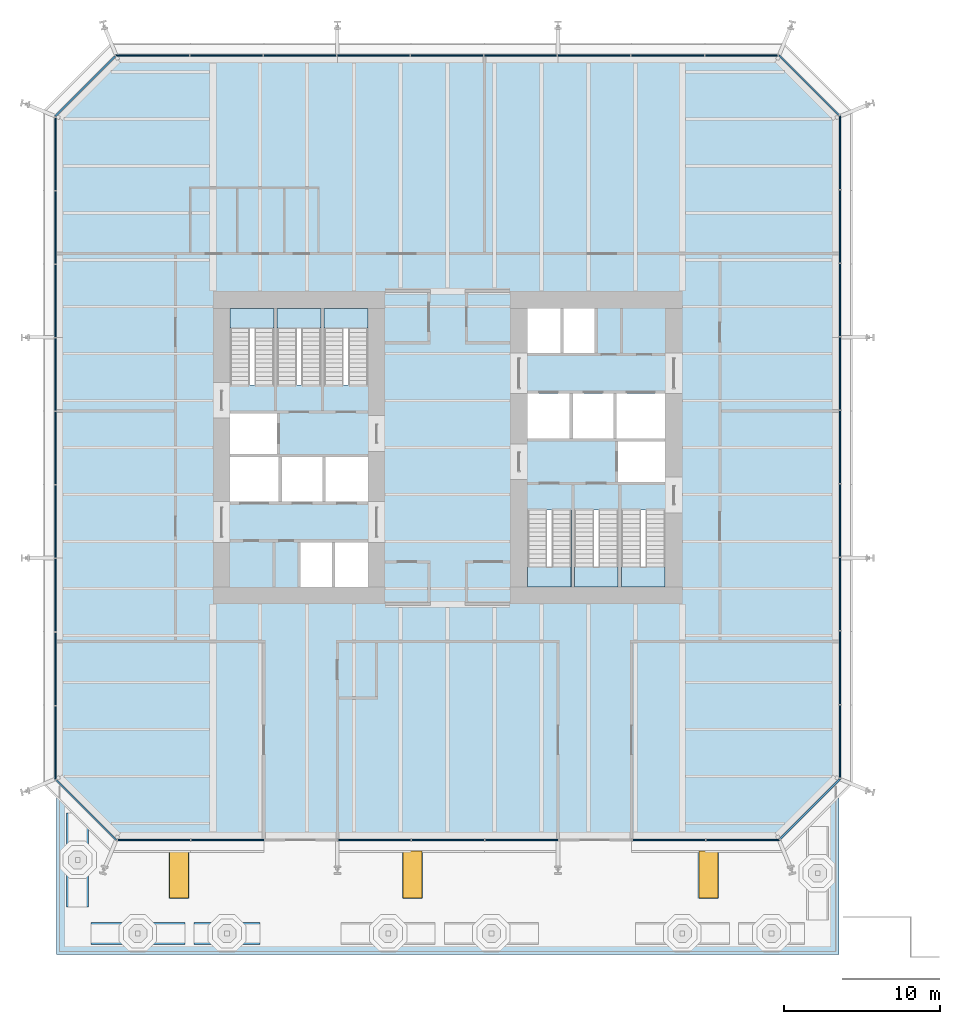
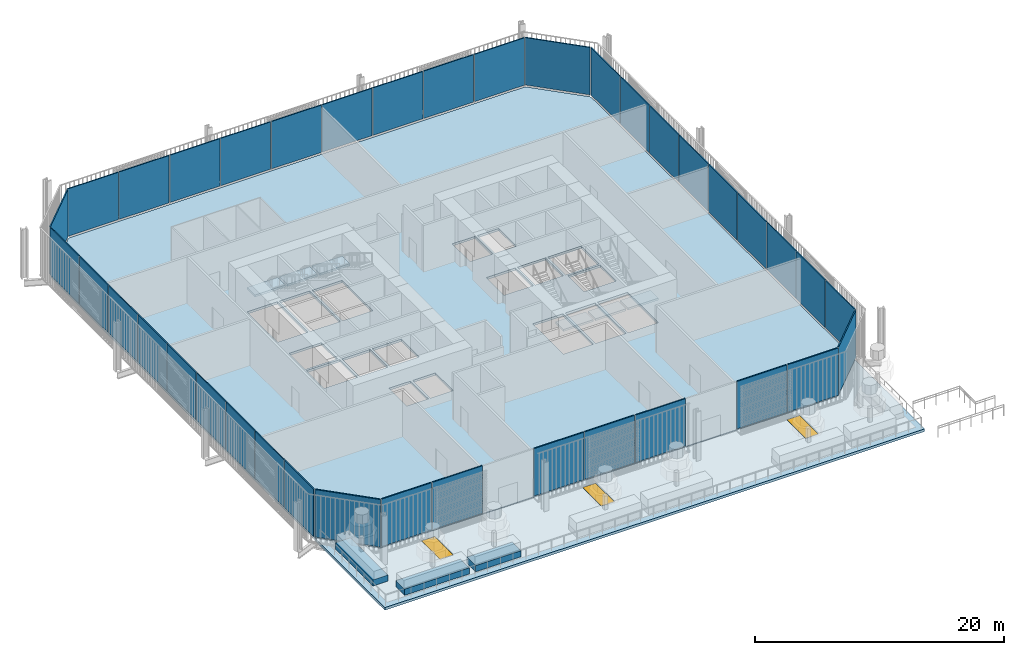
# One storey, part 14 of 21: 38 plates, 8 slabs, 3 walls, 3 windows, 3 openings, 14 elements without a shape of their own.
"""IFC4 building model written with IfcOpenShell, lengths in metres."""

from ifc_helpers import new_model, si_unit, direction, frame, frame_2d, origin, origin_2d, place, context, subcontext, project, spatial, polyline, rectangle, outline, extrude, material, layer, layer_set, type_object, element, fill, aggregate, save


model = new_model("IFC4")

# Units and contexts
model_context = context("Model", 3, precision=1e-05, world=origin(), true_north=direction((0.0, 1.0)))
body_context = subcontext(model_context, "Body", "Model", "MODEL_VIEW")
ifc_project = project(units=[si_unit("LENGTHUNIT", "METRE"), si_unit("AREAUNIT", "SQUARE_METRE"), si_unit("VOLUMEUNIT", "CUBIC_METRE"), si_unit("PLANEANGLEUNIT", "RADIAN"), si_unit("MASSUNIT", "GRAM", prefix="KILO")], contexts=[model_context])

# Site, building, storey
site_placement = place(None, origin())
site = spatial("IfcSite", under=ifc_project, at=site_placement, CompositionType="ELEMENT")
building_placement = place(site_placement, origin())
building = spatial("IfcBuilding", under=site, at=building_placement, Name="Millrace Tower", CompositionType="ELEMENT")
storey_placement = place(building_placement, frame((0.0, 0.0, 16.10009765625)))
storey = spatial("IfcBuildingStorey", under=building, at=storey_placement, Name="L04", CompositionType="ELEMENT", Elevation=16.10009765625)

# Curtain wall, plate
ifc_material_1 = material(Name="Aluminium and glass", Category="aluminium")
ifc_layer_1 = layer(ifc_material_1, 0.14990234375)
ifc_layer_set_1 = layer_set([ifc_layer_1], Name="Aluminium and glass")
curtain_wall_type = type_object("IfcCurtainWallType", Name="CW-2 data hall insulated curtain wall", PredefinedType="NOTDEFINED", material=ifc_layer_set_1)
placement_1 = place(storey_placement, origin())
curtain_wall_1 = element("IfcCurtainWall", 1, at=placement_1, inside=storey, type_object=curtain_wall_type, Name="Curtain wall A-F01 L04", PredefinedType="NOTDEFINED")
ifc_material_2 = material(Name="Glass", Category="glass")
ifc_layer_2 = layer(ifc_material_2, 0.10009765625)
ifc_layer_set_2 = layer_set([ifc_layer_2], Name="Glass")
plate_type = type_object("IfcPlateType", Name="CW-2 data hall insulated curtain wall insulated cassette with vision slot", PredefinedType="CURTAIN_PANEL", material=ifc_layer_set_2)
placement_2 = place(storey_placement, frame((0.0, 0.0, 0.159912109375)))
plate_1 = element("IfcPlate", 2, at=placement_2, type_object=plate_type, Name="CW2 panel A-F01.1", PredefinedType="CURTAIN_PANEL", context=body_context, shape_type="SweptSolid", body=[
    extrude(outline(polyline([(-25.04248046875, -21.284423828125), (-21.20166015625, -25.125), (-21.160400390625, -25.02490234375), (-24.9716796875, -21.213623046875), (-25.04248046875, -21.284423828125)])), origin(), (0.0, 0.0, 1.0), 4.639892578125),
])
aggregate(curtain_wall_1, [plate_1])

# Curtain wall, plates
curtain_wall_2 = element("IfcCurtainWall", 3, at=placement_1, inside=storey, type_object=curtain_wall_type, Name="Curtain wall A-F02 L04", PredefinedType="NOTDEFINED")
plate_2 = element("IfcPlate", 4, at=placement_2, type_object=plate_type, Name="CW2 panel A-F02.1", PredefinedType="CURTAIN_PANEL", context=body_context, shape_type="SweptSolid", body=[
    extrude(outline(polyline([(-21.0849609375, -25.125), (-16.449951171875, -25.125), (-16.449951171875, -25.02490234375), (-21.0849609375, -25.02490234375), (-21.0849609375, -25.125)])), origin(), (0.0, 0.0, 1.0), 4.639892578125),
])
plate_3 = element("IfcPlate", 5, at=placement_2, type_object=plate_type, Name="CW2 panel A-F02.2", PredefinedType="CURTAIN_PANEL", context=body_context, shape_type="SweptSolid", body=[
    extrude(outline(polyline([(-16.385009765625, -25.125), (-11.75, -25.125), (-11.75, -25.02490234375), (-16.385009765625, -25.02490234375), (-16.385009765625, -25.125)])), origin(), (0.0, 0.0, 1.0), 4.639892578125),
])
plate_4 = element("IfcPlate", 6, at=placement_2, type_object=plate_type, Name="CW2 panel A-F02.4", PredefinedType="CURTAIN_PANEL", context=body_context, shape_type="SweptSolid", body=[
    extrude(outline(polyline([(-6.985107421875, -25.125), (-2.35009765625, -25.125), (-2.35009765625, -25.02490234375), (-6.985107421875, -25.02490234375), (-6.985107421875, -25.125)])), origin(), (0.0, 0.0, 1.0), 4.639892578125),
])
plate_5 = element("IfcPlate", 7, at=placement_2, type_object=plate_type, Name="CW2 panel A-F02.5", PredefinedType="CURTAIN_PANEL", context=body_context, shape_type="SweptSolid", body=[
    extrude(outline(polyline([(-2.284912109375, -25.125), (2.35009765625, -25.125), (2.35009765625, -25.02490234375), (-2.284912109375, -25.02490234375), (-2.284912109375, -25.125)])), origin(), (0.0, 0.0, 1.0), 4.639892578125),
])
plate_6 = element("IfcPlate", 8, at=placement_2, type_object=plate_type, Name="CW2 panel A-F02.6", PredefinedType="CURTAIN_PANEL", context=body_context, shape_type="SweptSolid", body=[
    extrude(outline(polyline([(2.4150390625, -25.125), (7.050048828125, -25.125), (7.050048828125, -25.02490234375), (2.4150390625, -25.02490234375), (2.4150390625, -25.125)])), origin(), (0.0, 0.0, 1.0), 4.639892578125),
])
plate_7 = element("IfcPlate", 9, at=placement_2, type_object=plate_type, Name="CW2 panel A-F02.8", PredefinedType="CURTAIN_PANEL", context=body_context, shape_type="SweptSolid", body=[
    extrude(outline(polyline([(11.81494140625, -25.125), (16.449951171875, -25.125), (16.449951171875, -25.02490234375), (11.81494140625, -25.02490234375), (11.81494140625, -25.125)])), origin(), (0.0, 0.0, 1.0), 4.639892578125),
])
plate_8 = element("IfcPlate", 10, at=placement_2, type_object=plate_type, Name="CW2 panel A-F02.9", PredefinedType="CURTAIN_PANEL", context=body_context, shape_type="SweptSolid", body=[
    extrude(outline(polyline([(16.514892578125, -25.125), (21.20166015625, -25.125), (21.160400390625, -25.02490234375), (16.514892578125, -25.02490234375), (16.514892578125, -25.125)])), origin(), (0.0, 0.0, 1.0), 4.639892578125),
])
aggregate(curtain_wall_2, [plate_2, plate_3, plate_4, plate_5, plate_6, plate_7, plate_8])

# Curtain wall, plate
curtain_wall_3 = element("IfcCurtainWall", 11, at=placement_1, inside=storey, type_object=curtain_wall_type, Name="Curtain wall A-F03 L04", PredefinedType="NOTDEFINED")
plate_9 = element("IfcPlate", 12, at=placement_2, type_object=plate_type, Name="CW2 panel A-F03.1", PredefinedType="CURTAIN_PANEL", context=body_context, shape_type="SweptSolid", body=[
    extrude(outline(polyline([(21.284423828125, -25.04248046875), (25.125, -21.20166015625), (25.02490234375, -21.160400390625), (21.213623046875, -24.9716796875), (21.284423828125, -25.04248046875)])), origin(), (0.0, 0.0, 1.0), 4.639892578125),
])
aggregate(curtain_wall_3, [plate_9])

# Curtain wall, plates
curtain_wall_4 = element("IfcCurtainWall", 13, at=placement_1, inside=storey, type_object=curtain_wall_type, Name="Curtain wall A-F04 L04", PredefinedType="NOTDEFINED")
plate_10 = element("IfcPlate", 14, at=placement_2, type_object=plate_type, Name="CW2 panel A-F04.1", PredefinedType="CURTAIN_PANEL", context=body_context, shape_type="SweptSolid", body=[
    extrude(outline(polyline([(25.125, -21.0849609375), (25.125, -16.449951171875), (25.02490234375, -16.449951171875), (25.02490234375, -21.0849609375), (25.125, -21.0849609375)])), origin(), (0.0, 0.0, 1.0), 4.639892578125),
])
plate_11 = element("IfcPlate", 15, at=placement_2, type_object=plate_type, Name="CW2 panel A-F04.2", PredefinedType="CURTAIN_PANEL", context=body_context, shape_type="SweptSolid", body=[
    extrude(outline(polyline([(25.125, -16.385009765625), (25.125, -11.75), (25.02490234375, -11.75), (25.02490234375, -16.385009765625), (25.125, -16.385009765625)])), origin(), (0.0, 0.0, 1.0), 4.639892578125),
])
plate_12 = element("IfcPlate", 16, at=placement_2, type_object=plate_type, Name="CW2 panel A-F04.3", PredefinedType="CURTAIN_PANEL", context=body_context, shape_type="SweptSolid", body=[
    extrude(outline(polyline([(25.125, -11.68505859375), (25.125, -7.050048828125), (25.02490234375, -7.050048828125), (25.02490234375, -11.68505859375), (25.125, -11.68505859375)])), origin(), (0.0, 0.0, 1.0), 4.639892578125),
])
plate_13 = element("IfcPlate", 17, at=placement_2, type_object=plate_type, Name="CW2 panel A-F04.4", PredefinedType="CURTAIN_PANEL", context=body_context, shape_type="SweptSolid", body=[
    extrude(outline(polyline([(25.125, -6.985107421875), (25.125, -2.35009765625), (25.02490234375, -2.35009765625), (25.02490234375, -6.985107421875), (25.125, -6.985107421875)])), origin(), (0.0, 0.0, 1.0), 4.639892578125),
])
plate_14 = element("IfcPlate", 18, at=placement_2, type_object=plate_type, Name="CW2 panel A-F04.5", PredefinedType="CURTAIN_PANEL", context=body_context, shape_type="SweptSolid", body=[
    extrude(outline(polyline([(25.125, -2.284912109375), (25.125, 2.35009765625), (25.02490234375, 2.35009765625), (25.02490234375, -2.284912109375), (25.125, -2.284912109375)])), origin(), (0.0, 0.0, 1.0), 4.639892578125),
])
plate_15 = element("IfcPlate", 19, at=placement_2, type_object=plate_type, Name="CW2 panel A-F04.6", PredefinedType="CURTAIN_PANEL", context=body_context, shape_type="SweptSolid", body=[
    extrude(outline(polyline([(25.125, 2.4150390625), (25.125, 7.050048828125), (25.02490234375, 7.050048828125), (25.02490234375, 2.4150390625), (25.125, 2.4150390625)])), origin(), (0.0, 0.0, 1.0), 4.639892578125),
])
plate_16 = element("IfcPlate", 20, at=placement_2, type_object=plate_type, Name="CW2 panel A-F04.7", PredefinedType="CURTAIN_PANEL", context=body_context, shape_type="SweptSolid", body=[
    extrude(outline(polyline([(25.125, 7.114990234375), (25.125, 11.75), (25.02490234375, 11.75), (25.02490234375, 7.114990234375), (25.125, 7.114990234375)])), origin(), (0.0, 0.0, 1.0), 4.639892578125),
])
plate_17 = element("IfcPlate", 21, at=placement_2, type_object=plate_type, Name="CW2 panel A-F04.8", PredefinedType="CURTAIN_PANEL", context=body_context, shape_type="SweptSolid", body=[
    extrude(outline(polyline([(25.125, 11.81494140625), (25.125, 16.449951171875), (25.02490234375, 16.449951171875), (25.02490234375, 11.81494140625), (25.125, 11.81494140625)])), origin(), (0.0, 0.0, 1.0), 4.639892578125),
])
plate_18 = element("IfcPlate", 22, at=placement_2, type_object=plate_type, Name="CW2 panel A-F04.9", PredefinedType="CURTAIN_PANEL", context=body_context, shape_type="SweptSolid", body=[
    extrude(outline(polyline([(25.125, 16.514892578125), (25.125, 21.20166015625), (25.02490234375, 21.160400390625), (25.02490234375, 16.514892578125), (25.125, 16.514892578125)])), origin(), (0.0, 0.0, 1.0), 4.639892578125),
])
aggregate(curtain_wall_4, [plate_10, plate_11, plate_12, plate_13, plate_14, plate_15, plate_16, plate_17, plate_18])

# Curtain wall, plate
curtain_wall_5 = element("IfcCurtainWall", 23, at=placement_1, inside=storey, type_object=curtain_wall_type, Name="Curtain wall A-F05 L04", PredefinedType="NOTDEFINED")
plate_19 = element("IfcPlate", 24, at=placement_2, type_object=plate_type, Name="CW2 panel A-F05.1", PredefinedType="CURTAIN_PANEL", context=body_context, shape_type="SweptSolid", body=[
    extrude(outline(polyline([(25.04248046875, 21.284423828125), (21.20166015625, 25.125), (21.160400390625, 25.02490234375), (24.9716796875, 21.213623046875), (25.04248046875, 21.284423828125)])), origin(), (0.0, 0.0, 1.0), 4.639892578125),
])
aggregate(curtain_wall_5, [plate_19])

# Curtain wall, plates
curtain_wall_6 = element("IfcCurtainWall", 25, at=placement_1, inside=storey, type_object=curtain_wall_type, Name="Curtain wall A-F06 L04", PredefinedType="NOTDEFINED")
plate_20 = element("IfcPlate", 26, at=placement_2, type_object=plate_type, Name="CW2 panel A-F06.1", PredefinedType="CURTAIN_PANEL", context=body_context, shape_type="SweptSolid", body=[
    extrude(outline(polyline([(21.0849609375, 25.125), (16.449951171875, 25.125), (16.449951171875, 25.02490234375), (21.0849609375, 25.02490234375), (21.0849609375, 25.125)])), origin(), (0.0, 0.0, 1.0), 4.639892578125),
])
plate_21 = element("IfcPlate", 27, at=placement_2, type_object=plate_type, Name="CW2 panel A-F06.2", PredefinedType="CURTAIN_PANEL", context=body_context, shape_type="SweptSolid", body=[
    extrude(outline(polyline([(16.385009765625, 25.125), (11.75, 25.125), (11.75, 25.02490234375), (16.385009765625, 25.02490234375), (16.385009765625, 25.125)])), origin(), (0.0, 0.0, 1.0), 4.639892578125),
])
plate_22 = element("IfcPlate", 28, at=placement_2, type_object=plate_type, Name="CW2 panel A-F06.3", PredefinedType="CURTAIN_PANEL", context=body_context, shape_type="SweptSolid", body=[
    extrude(outline(polyline([(11.68505859375, 25.125), (7.050048828125, 25.125), (7.050048828125, 25.02490234375), (11.68505859375, 25.02490234375), (11.68505859375, 25.125)])), origin(), (0.0, 0.0, 1.0), 4.639892578125),
])
plate_23 = element("IfcPlate", 29, at=placement_2, type_object=plate_type, Name="CW2 panel A-F06.4", PredefinedType="CURTAIN_PANEL", context=body_context, shape_type="SweptSolid", body=[
    extrude(outline(polyline([(6.985107421875, 25.125), (2.35009765625, 25.125), (2.35009765625, 25.02490234375), (6.985107421875, 25.02490234375), (6.985107421875, 25.125)])), origin(), (0.0, 0.0, 1.0), 4.639892578125),
])
plate_24 = element("IfcPlate", 30, at=placement_2, type_object=plate_type, Name="CW2 panel A-F06.5", PredefinedType="CURTAIN_PANEL", context=body_context, shape_type="SweptSolid", body=[
    extrude(outline(polyline([(2.284912109375, 25.125), (-2.35009765625, 25.125), (-2.35009765625, 25.02490234375), (2.284912109375, 25.02490234375), (2.284912109375, 25.125)])), origin(), (0.0, 0.0, 1.0), 4.639892578125),
])
plate_25 = element("IfcPlate", 31, at=placement_2, type_object=plate_type, Name="CW2 panel A-F06.6", PredefinedType="CURTAIN_PANEL", context=body_context, shape_type="SweptSolid", body=[
    extrude(outline(polyline([(-2.4150390625, 25.125), (-7.050048828125, 25.125), (-7.050048828125, 25.02490234375), (-2.4150390625, 25.02490234375), (-2.4150390625, 25.125)])), origin(), (0.0, 0.0, 1.0), 4.639892578125),
])
plate_26 = element("IfcPlate", 32, at=placement_2, type_object=plate_type, Name="CW2 panel A-F06.7", PredefinedType="CURTAIN_PANEL", context=body_context, shape_type="SweptSolid", body=[
    extrude(outline(polyline([(-7.114990234375, 25.125), (-11.75, 25.125), (-11.75, 25.02490234375), (-7.114990234375, 25.02490234375), (-7.114990234375, 25.125)])), origin(), (0.0, 0.0, 1.0), 4.639892578125),
])
plate_27 = element("IfcPlate", 33, at=placement_2, type_object=plate_type, Name="CW2 panel A-F06.8", PredefinedType="CURTAIN_PANEL", context=body_context, shape_type="SweptSolid", body=[
    extrude(outline(polyline([(-11.81494140625, 25.125), (-16.449951171875, 25.125), (-16.449951171875, 25.02490234375), (-11.81494140625, 25.02490234375), (-11.81494140625, 25.125)])), origin(), (0.0, 0.0, 1.0), 4.639892578125),
])
plate_28 = element("IfcPlate", 34, at=placement_2, type_object=plate_type, Name="CW2 panel A-F06.9", PredefinedType="CURTAIN_PANEL", context=body_context, shape_type="SweptSolid", body=[
    extrude(outline(polyline([(-16.514892578125, 25.125), (-21.20166015625, 25.125), (-21.160400390625, 25.02490234375), (-16.514892578125, 25.02490234375), (-16.514892578125, 25.125)])), origin(), (0.0, 0.0, 1.0), 4.639892578125),
])
aggregate(curtain_wall_6, [plate_20, plate_21, plate_22, plate_23, plate_24, plate_25, plate_26, plate_27, plate_28])

# Curtain wall, plate
curtain_wall_7 = element("IfcCurtainWall", 35, at=placement_1, inside=storey, type_object=curtain_wall_type, Name="Curtain wall A-F07 L04", PredefinedType="NOTDEFINED")
plate_29 = element("IfcPlate", 36, at=placement_2, type_object=plate_type, Name="CW2 panel A-F07.1", PredefinedType="CURTAIN_PANEL", context=body_context, shape_type="SweptSolid", body=[
    extrude(outline(polyline([(-21.284423828125, 25.04248046875), (-25.125, 21.20166015625), (-25.02490234375, 21.160400390625), (-21.213623046875, 24.9716796875), (-21.284423828125, 25.04248046875)])), origin(), (0.0, 0.0, 1.0), 4.639892578125),
])
aggregate(curtain_wall_7, [plate_29])

# Curtain wall, plates
curtain_wall_8 = element("IfcCurtainWall", 37, at=placement_1, inside=storey, type_object=curtain_wall_type, Name="Curtain wall A-F08 L04", PredefinedType="NOTDEFINED")
plate_30 = element("IfcPlate", 38, at=placement_2, type_object=plate_type, Name="CW2 panel A-F08.1", PredefinedType="CURTAIN_PANEL", context=body_context, shape_type="SweptSolid", body=[
    extrude(outline(polyline([(-25.125, 21.0849609375), (-25.125, 16.449951171875), (-25.02490234375, 16.449951171875), (-25.02490234375, 21.0849609375), (-25.125, 21.0849609375)])), origin(), (0.0, 0.0, 1.0), 4.639892578125),
])
plate_31 = element("IfcPlate", 39, at=placement_2, type_object=plate_type, Name="CW2 panel A-F08.2", PredefinedType="CURTAIN_PANEL", context=body_context, shape_type="SweptSolid", body=[
    extrude(outline(polyline([(-25.125, 16.385009765625), (-25.125, 11.75), (-25.02490234375, 11.75), (-25.02490234375, 16.385009765625), (-25.125, 16.385009765625)])), origin(), (0.0, 0.0, 1.0), 4.639892578125),
])
plate_32 = element("IfcPlate", 40, at=placement_2, type_object=plate_type, Name="CW2 panel A-F08.3", PredefinedType="CURTAIN_PANEL", context=body_context, shape_type="SweptSolid", body=[
    extrude(outline(polyline([(-25.125, 11.68505859375), (-25.125, 7.050048828125), (-25.02490234375, 7.050048828125), (-25.02490234375, 11.68505859375), (-25.125, 11.68505859375)])), origin(), (0.0, 0.0, 1.0), 4.639892578125),
])
plate_33 = element("IfcPlate", 41, at=placement_2, type_object=plate_type, Name="CW2 panel A-F08.4", PredefinedType="CURTAIN_PANEL", context=body_context, shape_type="SweptSolid", body=[
    extrude(outline(polyline([(-25.125, 6.985107421875), (-25.125, 2.35009765625), (-25.02490234375, 2.35009765625), (-25.02490234375, 6.985107421875), (-25.125, 6.985107421875)])), origin(), (0.0, 0.0, 1.0), 4.639892578125),
])
plate_34 = element("IfcPlate", 42, at=placement_2, type_object=plate_type, Name="CW2 panel A-F08.5", PredefinedType="CURTAIN_PANEL", context=body_context, shape_type="SweptSolid", body=[
    extrude(outline(polyline([(-25.125, 2.284912109375), (-25.125, -2.35009765625), (-25.02490234375, -2.35009765625), (-25.02490234375, 2.284912109375), (-25.125, 2.284912109375)])), origin(), (0.0, 0.0, 1.0), 4.639892578125),
])
plate_35 = element("IfcPlate", 43, at=placement_2, type_object=plate_type, Name="CW2 panel A-F08.6", PredefinedType="CURTAIN_PANEL", context=body_context, shape_type="SweptSolid", body=[
    extrude(outline(polyline([(-25.125, -2.4150390625), (-25.125, -7.050048828125), (-25.02490234375, -7.050048828125), (-25.02490234375, -2.4150390625), (-25.125, -2.4150390625)])), origin(), (0.0, 0.0, 1.0), 4.639892578125),
])
plate_36 = element("IfcPlate", 44, at=placement_2, type_object=plate_type, Name="CW2 panel A-F08.7", PredefinedType="CURTAIN_PANEL", context=body_context, shape_type="SweptSolid", body=[
    extrude(outline(polyline([(-25.125, -7.114990234375), (-25.125, -11.75), (-25.02490234375, -11.75), (-25.02490234375, -7.114990234375), (-25.125, -7.114990234375)])), origin(), (0.0, 0.0, 1.0), 4.639892578125),
])
plate_37 = element("IfcPlate", 45, at=placement_2, type_object=plate_type, Name="CW2 panel A-F08.8", PredefinedType="CURTAIN_PANEL", context=body_context, shape_type="SweptSolid", body=[
    extrude(outline(polyline([(-25.125, -11.81494140625), (-25.125, -16.449951171875), (-25.02490234375, -16.449951171875), (-25.02490234375, -11.81494140625), (-25.125, -11.81494140625)])), origin(), (0.0, 0.0, 1.0), 4.639892578125),
])
plate_38 = element("IfcPlate", 46, at=placement_2, type_object=plate_type, Name="CW2 panel A-F08.9", PredefinedType="CURTAIN_PANEL", context=body_context, shape_type="SweptSolid", body=[
    extrude(outline(polyline([(-25.125, -16.514892578125), (-25.125, -21.20166015625), (-25.02490234375, -21.160400390625), (-25.02490234375, -16.514892578125), (-25.125, -16.514892578125)])), origin(), (0.0, 0.0, 1.0), 4.639892578125),
])
aggregate(curtain_wall_8, [plate_30, plate_31, plate_32, plate_33, plate_34, plate_35, plate_36, plate_37, plate_38])

# Slab, openings, windows
ifc_material_3 = material(Name="Concrete C40", Category="concrete")
ifc_layer_3 = layer(ifc_material_3, 0.25)
ifc_layer_set_3 = layer_set([ifc_layer_3], Name="Concrete C40")
slab_type_1 = type_object("IfcSlabType", Name="Cascade terrace roof slab 250 mm", PredefinedType="ROOF", material=ifc_layer_set_3)
slab_1_placement = place(storey_placement, frame((0.0, 0.0, -0.2900390625)))
slab_1 = element("IfcSlab", 47, at=slab_1_placement, inside=storey, type_object=slab_type_1, Name="Cascade garden terrace", PredefinedType="ROOF", context=body_context, shape_type="SweptSolid", body=[
    extrude(outline(polyline([(25.0, -32.39990234375), (-25.0, -32.39990234375), (-25.0, -21.14990234375), (-21.14990234375, -25.0), (21.14990234375, -25.0), (25.0, -21.14990234375), (25.0, -32.39990234375)])), origin(), (0.0, 0.0, 1.0), 0.25),
])
opening_1_placement = place(slab_1_placement, frame((-17.166748046875, -27.27490234375, 0.0)))
opening_1 = element("IfcOpeningElement", 48, at=opening_1_placement, cuts=slab_1, Name="Opening WK1", PredefinedType="OPENING", context=body_context, shape_type="SweptSolid", body=[
    extrude(rectangle(XDim=1.199951171875, YDim=3.0, at=origin_2d()), origin(), (0.0, 0.0, 1.0), 0.25),
])
opening_2_placement = place(slab_1_placement, frame((-2.25, -27.27490234375, 0.0)))
opening_2 = element("IfcOpeningElement", 49, at=opening_2_placement, cuts=slab_1, Name="Opening WK1", PredefinedType="OPENING", context=body_context, shape_type="SweptSolid", body=[
    extrude(rectangle(XDim=1.199951171875, YDim=3.0, at=origin_2d()), origin(), (0.0, 0.0, 1.0), 0.25),
])
opening_3_placement = place(slab_1_placement, frame((16.666748046875, -27.27490234375, 0.0)))
opening_3 = element("IfcOpeningElement", 50, at=opening_3_placement, cuts=slab_1, Name="Opening WK1", PredefinedType="OPENING", context=body_context, shape_type="SweptSolid", body=[
    extrude(rectangle(XDim=1.199951171875, YDim=3.0, at=origin_2d()), origin(), (0.0, 0.0, 1.0), 0.25),
])
ifc_material_4 = material(Name="Laminated safety glass", Category="glass")
window_type = type_object("IfcWindowType", Name="Walk-on rooflight 1200 x 3000", PartitioningType="SINGLE_PANEL", PredefinedType="SKYLIGHT", material=ifc_material_4)
window_1_placement = place(opening_1_placement, frame((0.0, 0.0, 0.199951171875)))
window_1 = element("IfcWindow", 51, at=window_1_placement, inside=storey, type_object=window_type, Name="Walk-on rooflight L03 1.1", OverallHeight=3.0, OverallWidth=1.199951171875, PartitioningType="SINGLE_PANEL", PredefinedType="SKYLIGHT", context=body_context, shape_type="SweptSolid", body=[
    extrude(rectangle(XDim=1.199951171875, YDim=3.0, at=origin_2d()), origin(), (0.0, 0.0, 1.0), 0.050048828125),
])
fill(opening_1, window_1)
window_2_placement = place(opening_2_placement, frame((0.0, 0.0, 0.199951171875)))
window_2 = element("IfcWindow", 52, at=window_2_placement, inside=storey, type_object=window_type, Name="Walk-on rooflight L03 1.2", OverallHeight=3.0, OverallWidth=1.199951171875, PartitioningType="SINGLE_PANEL", PredefinedType="SKYLIGHT", context=body_context, shape_type="SweptSolid", body=[
    extrude(rectangle(XDim=1.199951171875, YDim=3.0, at=origin_2d()), origin(), (0.0, 0.0, 1.0), 0.050048828125),
])
fill(opening_2, window_2)
window_3_placement = place(opening_3_placement, frame((0.0, 0.0, 0.199951171875)))
window_3 = element("IfcWindow", 53, at=window_3_placement, inside=storey, type_object=window_type, Name="Walk-on rooflight L03 1.3", OverallHeight=3.0, OverallWidth=1.199951171875, PartitioningType="SINGLE_PANEL", PredefinedType="SKYLIGHT", context=body_context, shape_type="SweptSolid", body=[
    extrude(rectangle(XDim=1.199951171875, YDim=3.0, at=origin_2d()), origin(), (0.0, 0.0, 1.0), 0.050048828125),
])
fill(opening_3, window_3)

# Slab
ifc_material_5 = material(Name="Concrete C35 on steel deck", Category="concrete")
ifc_layer_4 = layer(ifc_material_5, 0.22509765625)
ifc_layer_set_4 = layer_set([ifc_layer_4], Name="Concrete C35 on steel deck")
slab_type_2 = type_object("IfcSlabType", Name="Composite floor slab 225 mm", PredefinedType="FLOOR", material=ifc_layer_set_4)
slab_2_placement = place(storey_placement, frame((0.0, 0.0, -0.22509765625)))
element("IfcSlab", 54, at=slab_2_placement, inside=storey, type_object=slab_type_2, Name="SL-A-L04-S1", PredefinedType="FLOOR", context=body_context, shape_type="SweptSolid", body=[
    extrude(outline(polyline([(-25.0, -21.14990234375), (-21.14990234375, -25.0), (21.14990234375, -25.0), (25.0, -21.14990234375), (25.0, 21.14990234375), (21.14990234375, 25.0), (-21.14990234375, 25.0), (-25.0, 21.14990234375), (-25.0, -21.14990234375)]), holes=[polyline([(-9.39990234375, -8.89990234375), (-7.39990234375, -8.89990234375), (-7.39990234375, -6.050048828125), (-9.39990234375, -6.050048828125), (-9.39990234375, -8.89990234375)]), polyline([(-7.199951171875, -8.89990234375), (-5.10009765625, -8.89990234375), (-5.10009765625, -6.050048828125), (-7.199951171875, -6.050048828125), (-7.199951171875, -8.89990234375)]), polyline([(-13.89990234375, -3.449951171875), (-10.800048828125, -3.449951171875), (-10.800048828125, -0.60009765625), (-13.89990234375, -0.60009765625), (-13.89990234375, -3.449951171875)]), polyline([(-10.60009765625, -3.449951171875), (-8.0, -3.449951171875), (-8.0, -0.60009765625), (-10.60009765625, -0.60009765625), (-10.60009765625, -3.449951171875)]), polyline([(-7.800048828125, -3.449951171875), (-5.10009765625, -3.449951171875), (-5.10009765625, -0.60009765625), (-7.800048828125, -0.60009765625), (-7.800048828125, -3.449951171875)]), polyline([(-13.89990234375, -0.39990234375), (-10.89990234375, -0.39990234375), (-10.89990234375, 2.179931640625), (-13.89990234375, 2.179931640625), (-13.89990234375, -0.39990234375)]), polyline([(-13.89990234375, 4.0), (-11.10009765625, 4.0), (-11.10009765625, 8.89990234375), (-13.89990234375, 8.89990234375), (-13.89990234375, 4.0)]), polyline([(-10.89990234375, 4.0), (-8.10009765625, 4.0), (-8.10009765625, 8.89990234375), (-10.89990234375, 8.89990234375), (-10.89990234375, 4.0)]), polyline([(-7.89990234375, 4.0), (-5.10009765625, 4.0), (-5.10009765625, 8.89990234375), (-7.89990234375, 8.89990234375), (-7.89990234375, 4.0)]), polyline([(7.39990234375, 6.050048828125), (9.39990234375, 6.050048828125), (9.39990234375, 8.89990234375), (7.39990234375, 8.89990234375), (7.39990234375, 6.050048828125)]), polyline([(5.10009765625, 6.050048828125), (7.199951171875, 6.050048828125), (7.199951171875, 8.89990234375), (5.10009765625, 8.89990234375), (5.10009765625, 6.050048828125)]), polyline([(10.800048828125, 0.60009765625), (13.89990234375, 0.60009765625), (13.89990234375, 3.449951171875), (10.800048828125, 3.449951171875), (10.800048828125, 0.60009765625)]), polyline([(8.0, 0.60009765625), (10.60009765625, 0.60009765625), (10.60009765625, 3.449951171875), (8.0, 3.449951171875), (8.0, 0.60009765625)]), polyline([(5.10009765625, 0.60009765625), (7.800048828125, 0.60009765625), (7.800048828125, 3.449951171875), (5.10009765625, 3.449951171875), (5.10009765625, 0.60009765625)]), polyline([(10.89990234375, -2.179931640625), (13.89990234375, -2.179931640625), (13.89990234375, 0.39990234375), (10.89990234375, 0.39990234375), (10.89990234375, -2.179931640625)]), polyline([(11.10009765625, -8.89990234375), (13.89990234375, -8.89990234375), (13.89990234375, -4.0), (11.10009765625, -4.0), (11.10009765625, -8.89990234375)]), polyline([(8.10009765625, -8.89990234375), (10.89990234375, -8.89990234375), (10.89990234375, -4.0), (8.10009765625, -4.0), (8.10009765625, -8.89990234375)]), polyline([(5.10009765625, -8.89990234375), (7.89990234375, -8.89990234375), (7.89990234375, -4.0), (5.10009765625, -4.0), (5.10009765625, -8.89990234375)])]), origin(), (0.0, 0.0, 1.0), 0.22509765625),
])

# Stair, slab
ifc_material_6 = material(Name="Concrete C35", Category="concrete")
stair_type = type_object("IfcStairType", Name="Exit stair", PredefinedType="HALF_TURN_STAIR", material=ifc_material_6)
stair_1 = element("IfcStair", 55, at=placement_1, inside=storey, type_object=stair_type, Name="Stair 1 W L04", PredefinedType="HALF_TURN_STAIR")
ifc_material_7 = material(Name="Concrete C40", Category="concrete")
ifc_layer_5 = layer(ifc_material_7, 0.199951171875)
ifc_layer_set_5 = layer_set([ifc_layer_5], Name="Concrete C40")
slab_type_3 = type_object("IfcSlabType", Name="Stair landing", PredefinedType="LANDING", material=ifc_layer_set_5)
placement_3 = place(storey_placement, frame((0.0, 0.0, 2.199951171875)))
slab_3 = element("IfcSlab", 56, at=placement_3, type_object=slab_type_3, Name="ST12 landing 1", PredefinedType="LANDING", context=body_context, shape_type="SweptSolid", body=[
    extrude(outline(polyline([(-13.89990234375, 7.639892578125), (-11.10009765625, 7.639892578125), (-11.10009765625, 8.89990234375), (-13.89990234375, 8.89990234375), (-13.89990234375, 7.639892578125)])), origin(), (0.0, 0.0, 1.0), 0.199951171875),
])
aggregate(stair_1, [slab_3])

stair_2 = element("IfcStair", 57, at=placement_1, inside=storey, type_object=stair_type, Name="Stair 2 W L04", PredefinedType="HALF_TURN_STAIR")
slab_4 = element("IfcSlab", 58, at=placement_3, type_object=slab_type_3, Name="ST12 landing 1", PredefinedType="LANDING", context=body_context, shape_type="SweptSolid", body=[
    extrude(outline(polyline([(-10.89990234375, 7.639892578125), (-8.10009765625, 7.639892578125), (-8.10009765625, 8.89990234375), (-10.89990234375, 8.89990234375), (-10.89990234375, 7.639892578125)])), origin(), (0.0, 0.0, 1.0), 0.199951171875),
])
aggregate(stair_2, [slab_4])

stair_3 = element("IfcStair", 59, at=placement_1, inside=storey, type_object=stair_type, Name="Stair 3 W L04", PredefinedType="HALF_TURN_STAIR")
slab_5 = element("IfcSlab", 60, at=placement_3, type_object=slab_type_3, Name="ST12 landing 1", PredefinedType="LANDING", context=body_context, shape_type="SweptSolid", body=[
    extrude(outline(polyline([(-7.89990234375, 7.639892578125), (-5.10009765625, 7.639892578125), (-5.10009765625, 8.89990234375), (-7.89990234375, 8.89990234375), (-7.89990234375, 7.639892578125)])), origin(), (0.0, 0.0, 1.0), 0.199951171875),
])
aggregate(stair_3, [slab_5])

stair_4 = element("IfcStair", 61, at=placement_1, inside=storey, type_object=stair_type, Name="Stair 1 E L04", PredefinedType="HALF_TURN_STAIR")
slab_6 = element("IfcSlab", 62, at=placement_3, type_object=slab_type_3, Name="ST12 landing 1", PredefinedType="LANDING", context=body_context, shape_type="SweptSolid", body=[
    extrude(outline(polyline([(11.10009765625, -8.89990234375), (13.89990234375, -8.89990234375), (13.89990234375, -7.639892578125), (11.10009765625, -7.639892578125), (11.10009765625, -8.89990234375)])), origin(), (0.0, 0.0, 1.0), 0.199951171875),
])
aggregate(stair_4, [slab_6])

stair_5 = element("IfcStair", 63, at=placement_1, inside=storey, type_object=stair_type, Name="Stair 2 E L04", PredefinedType="HALF_TURN_STAIR")
slab_7 = element("IfcSlab", 64, at=placement_3, type_object=slab_type_3, Name="ST12 landing 1", PredefinedType="LANDING", context=body_context, shape_type="SweptSolid", body=[
    extrude(outline(polyline([(8.10009765625, -8.89990234375), (10.89990234375, -8.89990234375), (10.89990234375, -7.639892578125), (8.10009765625, -7.639892578125), (8.10009765625, -8.89990234375)])), origin(), (0.0, 0.0, 1.0), 0.199951171875),
])
aggregate(stair_5, [slab_7])

stair_6 = element("IfcStair", 65, at=placement_1, inside=storey, type_object=stair_type, Name="Stair 3 E L04", PredefinedType="HALF_TURN_STAIR")
slab_8 = element("IfcSlab", 66, at=placement_3, type_object=slab_type_3, Name="ST12 landing 1", PredefinedType="LANDING", context=body_context, shape_type="SweptSolid", body=[
    extrude(outline(polyline([(5.10009765625, -8.89990234375), (7.89990234375, -8.89990234375), (7.89990234375, -7.639892578125), (5.10009765625, -7.639892578125), (5.10009765625, -8.89990234375)])), origin(), (0.0, 0.0, 1.0), 0.199951171875),
])
aggregate(stair_6, [slab_8])

# Walls
ifc_material_8 = material(Name="Concrete C40", Category="concrete")
ifc_layer_6 = layer(ifc_material_8, 1.39990234375)
ifc_layer_set_6 = layer_set([ifc_layer_6], Name="Concrete C40")
wall_type = type_object("IfcWallType", Name="PLANTER raised bed 600 high x 1400 thick", PredefinedType="STANDARD", material=ifc_layer_set_6)
for number, where, z_axis, x_axis, name in (
    (67, (-23.64990234375, -23.35009765625, 0.0), (0.0, 0.0, 1.0), (0.0, -1.0, 0.0), "PLANTER raised bed CT-L03-1 1.0.0"),
    (68, (-22.800048828125, -31.050048828125, 0.0), (0.0, 0.0, 1.0), (1.0, 0.0, 0.0), "PLANTER raised bed CT-L03-1 1.1.0"),
):
    element("IfcWall", number, at=place(storey_placement, frame(where, z_axis=z_axis, x_axis=x_axis)), inside=storey, type_object=wall_type, Name=name, PredefinedType="STANDARD", context=body_context, shape_type="SweptSolid", body=[
        extrude(rectangle(XDim=6.0, YDim=1.39990234375, at=frame_2d((3.0, 0.0))), origin(), (0.0, 0.0, 1.0), 0.599853515625),
    ])
wall_placement = place(storey_placement, frame((-16.199951171875, -31.050048828125, 0.0), z_axis=(0.0, 0.0, 1.0), x_axis=(1.0, 0.0, 0.0)))
element("IfcWall", 69, at=wall_placement, inside=storey, type_object=wall_type, Name="PLANTER raised bed CT-L03-1 1.1.1", PredefinedType="STANDARD", context=body_context, shape_type="SweptSolid", body=[
    extrude(rectangle(XDim=4.199951171875, YDim=1.39990234375, at=frame_2d((2.10009765625, 0.0))), origin(), (0.0, 0.0, 1.0), 0.599853515625),
])

save(model, "model.ifc")
